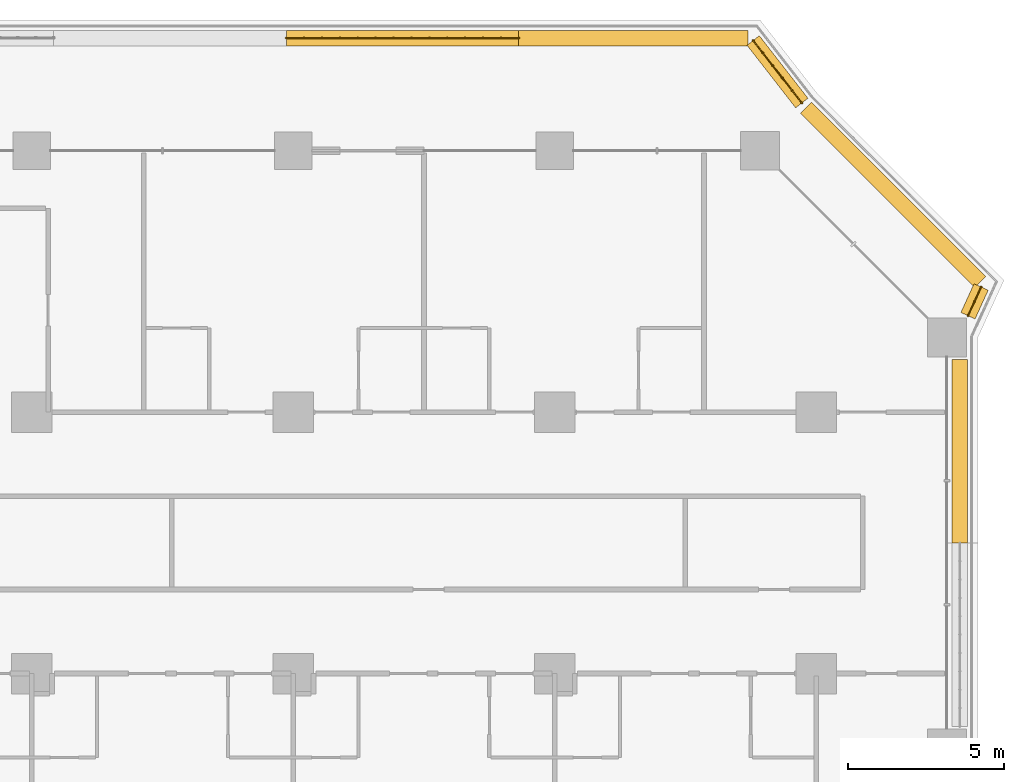
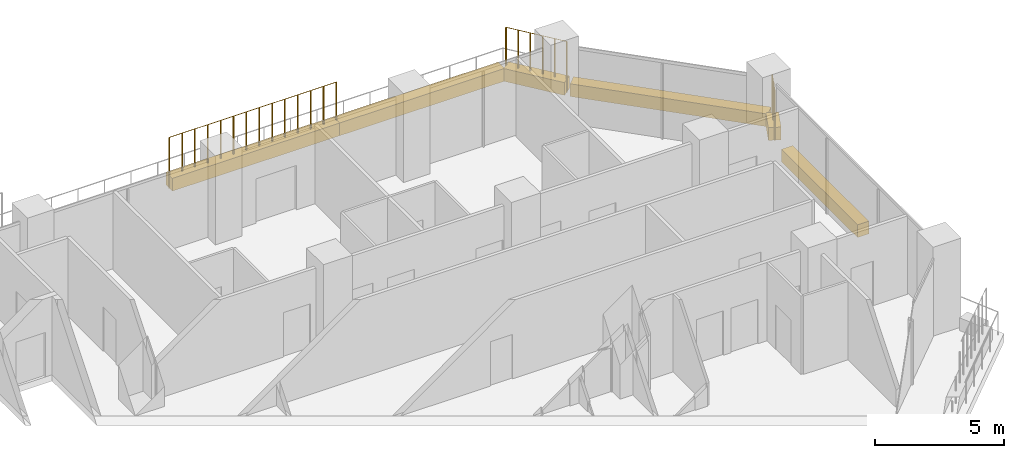
# One storey, part 28 of 28: 6 coverings, 3 railings.
"""IFC4 building model written with IfcOpenShell, lengths in metres."""

from ifc_helpers import new_model, si_unit, direction, frame, origin, origin_2d, place, context, subcontext, project, spatial, rectangle, circle, extrude, material, material_profile, profile_set, type_object, element, save


model = new_model("IFC4")

# Units and contexts
model_context = context("Model", 3, precision=1e-05, world=origin(), true_north=direction((0.0, 1.0)))
body_context = subcontext(model_context, "Body", "Model", "MODEL_VIEW")
ifc_project = project(units=[si_unit("LENGTHUNIT", "METRE"), si_unit("AREAUNIT", "SQUARE_METRE"), si_unit("VOLUMEUNIT", "CUBIC_METRE"), si_unit("PLANEANGLEUNIT", "RADIAN"), si_unit("MASSUNIT", "GRAM", prefix="KILO")], contexts=[model_context])

# Site, building, storey
site_placement = place(None, origin())
site = spatial("IfcSite", under=ifc_project, at=site_placement, CompositionType="ELEMENT")
building_placement = place(site_placement, origin())
building = spatial("IfcBuilding", under=site, at=building_placement, Name="Kawkab Arch Medical Tower", CompositionType="ELEMENT")
storey_placement = place(building_placement, frame((0.0, 0.0, 89.60009765625)))
storey = spatial("IfcBuildingStorey", under=building, at=storey_placement, Name="L20", CompositionType="ELEMENT", Elevation=89.60009765625)

# Coverings
ifc_material_1 = material(Name="Planting soil in a precast trough", Category="concrete")
ifc_material_profile = material_profile(ifc_material_1, rectangle(XDim=0.5, YDim=0.60009765625, at=origin_2d()), Name="Trough 500x600")
ifc_profile_set = profile_set([ifc_material_profile], Name="Planting soil in a precast trough")
covering_type = type_object("IfcCoveringType", Name="Planter trough 500 x 600", PredefinedType="USERDEFINED", material=ifc_profile_set)
covering_1_placement = place(storey_placement, frame((58.575927734375, 3.6201171875, 0.2998046875), z_axis=(1.0, 0.0, 0.0), x_axis=(0.0, 1.0, 0.0)))
element("IfcCovering", 1, at=covering_1_placement, inside=storey, type_object=covering_type, Name="Planter L20.LOG-01-01.27", ObjectType="PLANTER", PredefinedType="USERDEFINED", context=body_context, shape_type="SweptSolid", body=[
    extrude(rectangle(XDim=0.5, YDim=0.60009765625, at=origin_2d()), origin(), (0.0, 0.0, 1.0), 7.469970703125),
])
covering_2_placement = place(storey_placement, frame((66.0458984375, 3.6201171875, 0.2998046875), z_axis=(1.0, 0.0, 0.0), x_axis=(0.0, 1.0, 0.0)))
element("IfcCovering", 2, at=covering_2_placement, inside=storey, type_object=covering_type, Name="Planter L20.LOG-01-01.28", ObjectType="PLANTER", PredefinedType="USERDEFINED", context=body_context, shape_type="SweptSolid", body=[
    extrude(rectangle(XDim=0.5, YDim=0.60009765625, at=origin_2d()), origin(), (0.0, 0.0, 1.0), 7.3701171875),
])
covering_3_placement = place(storey_placement, frame((73.577880859375, 3.541015625, 0.2998046875), z_axis=(0.614099956103, -0.789228258436, 0.0), x_axis=(0.789228258436, 0.614099956103, 0.0)))
element("IfcCovering", 3, at=covering_3_placement, inside=storey, type_object=covering_type, Name="Planter L20.LOG-01-01.29", ObjectType="PLANTER", PredefinedType="USERDEFINED", context=body_context, shape_type="SweptSolid", body=[
    extrude(rectangle(XDim=0.5, YDim=0.60009765625, at=origin_2d()), origin(), (0.0, 0.0, 1.0), 2.545654296875),
])
covering_4_placement = place(storey_placement, frame((75.27294921875, 1.383056640625, 0.2998046875), z_axis=(0.707106781187, -0.707106781187, 0.0), x_axis=(0.707106781187, 0.707106781187, 0.0)))
element("IfcCovering", 4, at=covering_4_placement, inside=storey, type_object=covering_type, Name="Planter L20.LOG-01-01.30", ObjectType="PLANTER", PredefinedType="USERDEFINED", context=body_context, shape_type="SweptSolid", body=[
    extrude(rectangle(XDim=0.5, YDim=0.60009765625, at=origin_2d()), origin(), (0.0, 0.0, 1.0), 7.919677734375),
])
covering_5_placement = place(storey_placement, frame((80.902099609375, -4.37890625, 0.2998046875), z_axis=(-0.415071571878, -0.909788761317, 0.0), x_axis=(0.909788761317, -0.415071571878, 0.0)))
element("IfcCovering", 5, at=covering_5_placement, inside=storey, type_object=covering_type, Name="Planter L20.LOG-01-01.31", ObjectType="PLANTER", PredefinedType="USERDEFINED", context=body_context, shape_type="SweptSolid", body=[
    extrude(rectangle(XDim=0.5, YDim=0.60009765625, at=origin_2d()), origin(), (0.0, 0.0, 1.0), 1.0146484375),
])
covering_6_placement = place(storey_placement, frame((80.219970703125, -6.705078125, 0.2998046875), z_axis=(0.0, -1.0, 0.0), x_axis=(1.0, 0.0, 0.0)))
element("IfcCovering", 6, at=covering_6_placement, inside=storey, type_object=covering_type, Name="Planter L20.LOG-01-01.32", ObjectType="PLANTER", PredefinedType="USERDEFINED", context=body_context, shape_type="SweptSolid", body=[
    extrude(rectangle(XDim=0.5, YDim=0.60009765625, at=origin_2d()), origin(), (0.0, 0.0, 1.0), 5.89501953125),
])

# Railings
ifc_material_2 = material(Name="Bronze anodised aluminium trellis for climbing plants", Category="aluminium")
railing_type = type_object("IfcRailingType", Name="Planting trellis 2400", PredefinedType="USERDEFINED", material=ifc_material_2)
railing_1_placement = place(storey_placement, frame((58.575927734375, 3.6201171875, 0.0)))
element("IfcRailing", 7, at=railing_1_placement, inside=storey, type_object=railing_type, Name="Planting trellis L20.LOG-01-01.27", ObjectType="TRELLIS", PredefinedType="USERDEFINED", context=body_context, shape_type="SweptSolid", body=[
    extrude(circle(Radius=0.01513671875, at=origin_2d()), frame((0.0, 0.0, 2.384765625), z_axis=(1.0, 0.0, 0.0), x_axis=(0.0, 1.0, 0.0)), (0.0, 0.0, 1.0), 7.469970703125),
    extrude(circle(Radius=0.030029296875, at=origin_2d()), origin(), (0.0, 0.0, 1.0), 2.369873046875),
    extrude(circle(Radius=0.030029296875, at=origin_2d()), frame((0.57470703125, 0.0, 0.0)), (0.0, 0.0, 1.0), 2.369873046875),
    extrude(circle(Radius=0.030029296875, at=origin_2d()), frame((1.149169921875, 0.0, 0.0)), (0.0, 0.0, 1.0), 2.369873046875),
    extrude(circle(Radius=0.030029296875, at=origin_2d()), frame((1.723876953125, 0.0, 0.0)), (0.0, 0.0, 1.0), 2.369873046875),
    extrude(circle(Radius=0.030029296875, at=origin_2d()), frame((2.29833984375, 0.0, 0.0)), (0.0, 0.0, 1.0), 2.369873046875),
    extrude(circle(Radius=0.030029296875, at=origin_2d()), frame((2.873046875, 0.0, 0.0)), (0.0, 0.0, 1.0), 2.369873046875),
    extrude(circle(Radius=0.030029296875, at=origin_2d()), frame((3.44775390625, 0.0, 0.0)), (0.0, 0.0, 1.0), 2.369873046875),
    extrude(circle(Radius=0.030029296875, at=origin_2d()), frame((4.022216796875, 0.0, 0.0)), (0.0, 0.0, 1.0), 2.369873046875),
    extrude(circle(Radius=0.030029296875, at=origin_2d()), frame((4.596923828125, 0.0, 0.0)), (0.0, 0.0, 1.0), 2.369873046875),
    extrude(circle(Radius=0.030029296875, at=origin_2d()), frame((5.171630859375, 0.0, 0.0)), (0.0, 0.0, 1.0), 2.369873046875),
    extrude(circle(Radius=0.030029296875, at=origin_2d()), frame((5.74609375, 0.0, 0.0)), (0.0, 0.0, 1.0), 2.369873046875),
    extrude(circle(Radius=0.030029296875, at=origin_2d()), frame((6.32080078125, 0.0, 0.0)), (0.0, 0.0, 1.0), 2.369873046875),
    extrude(circle(Radius=0.030029296875, at=origin_2d()), frame((6.895263671875, 0.0, 0.0)), (0.0, 0.0, 1.0), 2.369873046875),
    extrude(circle(Radius=0.030029296875, at=origin_2d()), frame((7.469970703125, 0.0, 0.0)), (0.0, 0.0, 1.0), 2.369873046875),
])
railing_2_placement = place(storey_placement, frame((73.577880859375, 3.541015625, 0.0)))
element("IfcRailing", 8, at=railing_2_placement, inside=storey, type_object=railing_type, Name="Planting trellis L20.LOG-01-01.29", ObjectType="TRELLIS", PredefinedType="USERDEFINED", context=body_context, shape_type="SweptSolid", body=[
    extrude(circle(Radius=0.01513671875, at=origin_2d()), frame((0.0, 0.0, 2.384765625), z_axis=(0.614099956103, -0.789228258436, 0.0), x_axis=(0.789228258436, 0.614099956103, 0.0)), (0.0, 0.0, 1.0), 2.545654296875),
    extrude(circle(Radius=0.030029296875, at=origin_2d()), origin(), (0.0, 0.0, 1.0), 2.369873046875),
    extrude(circle(Radius=0.030029296875, at=origin_2d()), frame((0.312744140625, -0.40185546875, 0.0)), (0.0, 0.0, 1.0), 2.369873046875),
    extrude(circle(Radius=0.030029296875, at=origin_2d()), frame((0.625244140625, -0.8037109375, 0.0)), (0.0, 0.0, 1.0), 2.369873046875),
    extrude(circle(Radius=0.030029296875, at=origin_2d()), frame((0.93798828125, -1.205322265625, 0.0)), (0.0, 0.0, 1.0), 2.369873046875),
    extrude(circle(Radius=0.030029296875, at=origin_2d()), frame((1.25048828125, -1.607177734375, 0.0)), (0.0, 0.0, 1.0), 2.369873046875),
    extrude(circle(Radius=0.030029296875, at=origin_2d()), frame((1.563232421875, -2.009033203125, 0.0)), (0.0, 0.0, 1.0), 2.369873046875),
])
railing_3_placement = place(storey_placement, frame((80.902099609375, -4.37890625, 0.0)))
element("IfcRailing", 9, at=railing_3_placement, inside=storey, type_object=railing_type, Name="Planting trellis L20.LOG-01-01.31", ObjectType="TRELLIS", PredefinedType="USERDEFINED", context=body_context, shape_type="SweptSolid", body=[
    extrude(circle(Radius=0.01513671875, at=origin_2d()), frame((0.0, 0.0, 2.384765625), z_axis=(-0.415071571878, -0.909788761317, 0.0), x_axis=(0.909788761317, -0.415071571878, 0.0)), (0.0, 0.0, 1.0), 1.0146484375),
    extrude(circle(Radius=0.030029296875, at=origin_2d()), origin(), (0.0, 0.0, 1.0), 2.369873046875),
    extrude(circle(Radius=0.030029296875, at=origin_2d()), frame((-0.21044921875, -0.46142578125, 0.0)), (0.0, 0.0, 1.0), 2.369873046875),
    extrude(circle(Radius=0.030029296875, at=origin_2d()), frame((-0.421142578125, -0.923095703125, 0.0)), (0.0, 0.0, 1.0), 2.369873046875),
])

save(model, "model.ifc")
